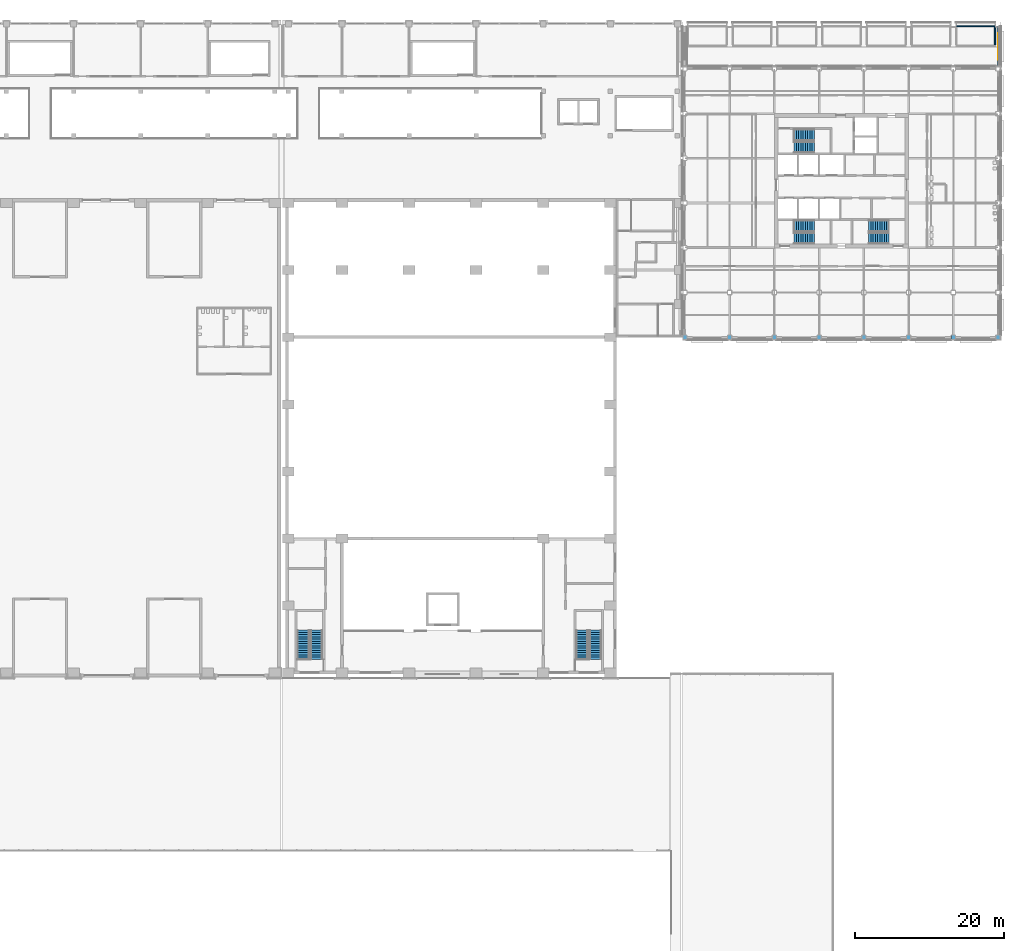
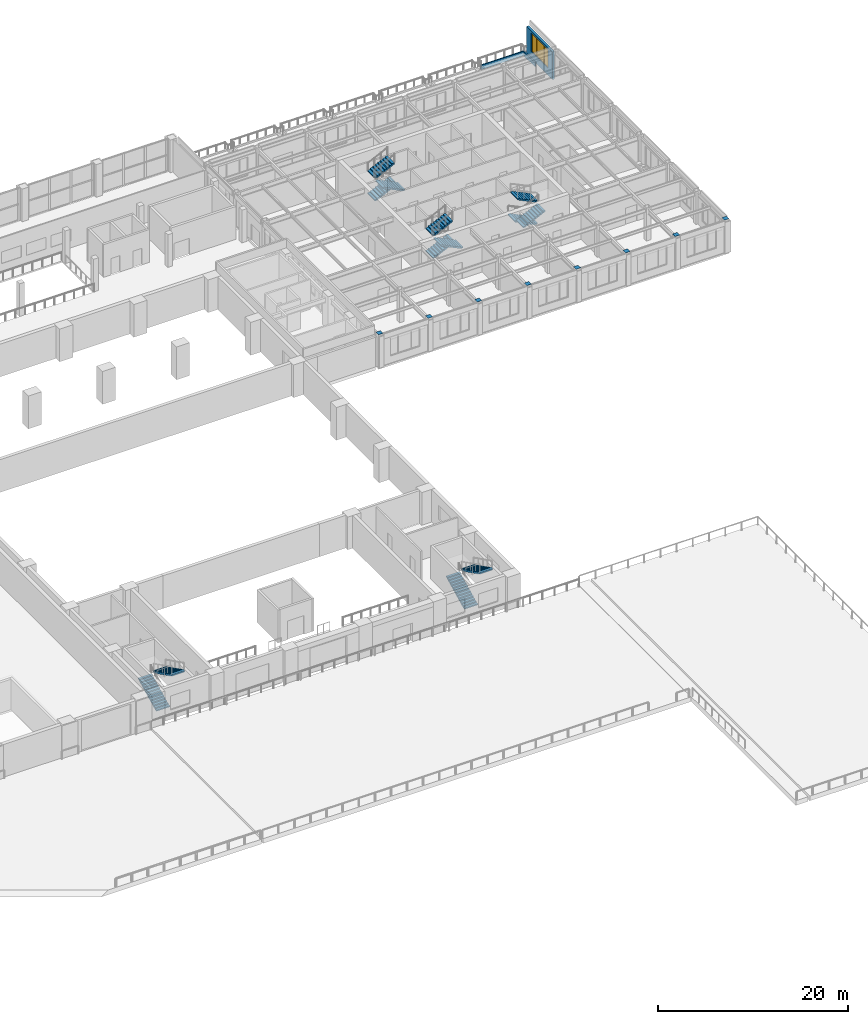
# One storey, part 28 of 39: 13 stair flights, 8 discrete accessories, 3 walls, 1 window, 1 opening, 5 elements without a shape of their own.
"""IFC4 building model written with IfcOpenShell, lengths in metres."""

from ifc_helpers import new_model, si_unit, direction, frame, frame_2d, origin, place, context, subcontext, project, spatial, polyline, rectangle, outline, extrude, material, layer, layer_set, type_object, element, fill, aggregate, save


model = new_model("IFC4")

# Units and contexts
model_context = context("Model", 3, precision=1e-05, world=origin(), true_north=direction((0.0, 1.0)))
body_context = subcontext(model_context, "Body", "Model", "MODEL_VIEW")
ifc_project = project(units=[si_unit("LENGTHUNIT", "METRE"), si_unit("AREAUNIT", "SQUARE_METRE"), si_unit("VOLUMEUNIT", "CUBIC_METRE"), si_unit("PLANEANGLEUNIT", "RADIAN"), si_unit("MASSUNIT", "GRAM", prefix="KILO")], contexts=[model_context])

# Site, building, storey
site_placement = place(None, origin())
site = spatial("IfcSite", under=ifc_project, at=site_placement, CompositionType="ELEMENT")
building_placement = place(site_placement, origin())
building = spatial("IfcBuilding", under=site, at=building_placement, Name="Aravalli Gate Trade Fair Centre", CompositionType="ELEMENT")
storey_placement = place(building_placement, frame((0.0, 0.0, 15.0)))
storey = spatial("IfcBuildingStorey", under=building, at=storey_placement, Name="L03", CompositionType="ELEMENT", Elevation=15.0)

# Walls
ifc_material_1 = material(Name="Concrete M30", Category="concrete")
ifc_layer_1 = layer(ifc_material_1, 0.14990234375)
ifc_layer_set_1 = layer_set([ifc_layer_1], Name="Concrete M30")
wall_type_1 = type_object("IfcWallType", Name="Wing planter wall 150", PredefinedType="SOLIDWALL", material=ifc_layer_set_1)
wall_1_placement = place(storey_placement, frame((196.39990234375, 132.705078125, 0.0), z_axis=(0.0, 0.0, 1.0), x_axis=(1.0, 0.0, 0.0)))
element("IfcWall", 1, at=wall_1_placement, inside=storey, type_object=wall_type_1, Name="Planter wall L03 7N", PredefinedType="SOLIDWALL", context=body_context, shape_type="SweptSolid", body=[
    extrude(rectangle(XDim=5.2001953125, YDim=0.14990234375, at=frame_2d((2.60009765625, 0.0))), origin(), (0.0, 0.0, 1.0), 0.550048828125),
])
wall_2_placement = place(storey_placement, frame((201.60009765625, 130.2548828125, 0.0), z_axis=(0.0, 0.0, 1.0), x_axis=(0.0, 1.0, 0.0)))
element("IfcWall", 2, at=wall_2_placement, inside=storey, type_object=wall_type_1, Name="Planter wall L03 7E", PredefinedType="SOLIDWALL", context=body_context, shape_type="SweptSolid", body=[
    extrude(rectangle(XDim=2.300048828125, YDim=0.14990234375, at=frame_2d((1.14990234375, 0.0))), origin(), (0.0, 0.0, 1.0), 0.550048828125),
])

# Wall, opening, window
ifc_material_2 = material(Name="Concrete block masonry", Category="masonry")
ifc_layer_2 = layer(ifc_material_2, 0.2099609375, Name="Block masonry")
ifc_material_3 = material(Name="Terracotta cladding", Category="masonry")
ifc_layer_3 = layer(ifc_material_3, 0.0400390625, Name="Terracotta cladding")
ifc_layer_set_2 = layer_set([ifc_layer_2, ifc_layer_3], Name="Wing terracotta clad infill wall 250")
wall_type_2 = type_object("IfcWallType", Name="Wing terracotta clad infill wall 250", PredefinedType="SOLIDWALL", material=ifc_layer_set_2)
wall_3_placement = place(storey_placement, frame((202.074951171875, 127.27490234375, 0.0), z_axis=(0.0, 0.0, 1.0), x_axis=(0.0, 1.0, 0.0)))
wall_3 = element("IfcWall", 3, at=wall_3_placement, inside=storey, type_object=wall_type_2, Name="Facade wall E6 L03", PredefinedType="SOLIDWALL", context=body_context, shape_type="SweptSolid", body=[
    extrude(rectangle(XDim=5.4501953125, YDim=0.25, at=frame_2d((2.72509765625, 0.0))), origin(), (0.0, 0.0, 1.0), 3.550048828125),
])
opening_placement = place(wall_3_placement, frame((0.925048828125, 0.0, 0.89990234375)))
opening = element("IfcOpeningElement", 4, at=opening_placement, cuts=wall_3, Name="Opening TWN1", PredefinedType="OPENING", context=body_context, shape_type="SweptSolid", body=[
    extrude(rectangle(XDim=3.60009765625, YDim=2.39990234375, at=frame_2d((1.800048828125, 1.199951171875))), frame((0.0, 0.135009765625, 0.0), z_axis=(0.0, -1.0, 0.0), x_axis=(1.0, 0.0, 0.0)), (0.0, 0.0, 1.0), 0.27001953125),
])
ifc_material_4 = material(Name="Aluminium and glass", Category="aluminium")
window_type = type_object("IfcWindowType", Name="Wing chicago window 3600 x 2400", PartitioningType="TRIPLE_PANEL_VERTICAL", PredefinedType="WINDOW", material=ifc_material_4)
window_placement = place(opening_placement, origin())
window = element("IfcWindow", 5, at=window_placement, inside=storey, type_object=window_type, Name="Window E6 L03", OverallHeight=2.39990234375, OverallWidth=3.60009765625, PartitioningType="TRIPLE_PANEL_VERTICAL", PredefinedType="WINDOW", context=body_context, shape_type="SweptSolid", body=[
    extrude(outline(polyline([(0.0, 0.0), (3.60009765625, 0.0), (3.60009765625, 2.39990234375), (0.0, 2.39990234375), (0.0, 0.0)]), holes=[polyline([(0.06005859375, 0.06005859375), (0.9599609375, 0.06005859375), (0.9599609375, 2.33984375), (0.06005859375, 2.33984375), (0.06005859375, 0.06005859375)]), polyline([(1.06005859375, 0.06005859375), (2.539794921875, 0.06005859375), (2.539794921875, 2.33984375), (1.06005859375, 2.33984375), (1.06005859375, 0.06005859375)]), polyline([(2.639892578125, 0.06005859375), (3.539794921875, 0.06005859375), (3.539794921875, 2.33984375), (2.639892578125, 2.33984375), (2.639892578125, 0.06005859375)])]), frame((0.0, 0.030029296875, 0.0), z_axis=(0.0, -1.0, 0.0), x_axis=(1.0, 0.0, 0.0)), (0.0, 0.0, 1.0), 0.06005859375),
    extrude(rectangle(XDim=0.923828125, YDim=2.3037109375, at=frame_2d((0.510009765625, 1.199951171875))), frame((0.0, 0.010009765625, 0.0), z_axis=(0.0, -1.0, 0.0), x_axis=(1.0, 0.0, 0.0)), (0.0, 0.0, 1.0), 0.02001953125),
    extrude(rectangle(XDim=1.503662109375, YDim=2.3037109375, at=frame_2d((1.7998046875, 1.199951171875))), frame((0.0, 0.010009765625, 0.0), z_axis=(0.0, -1.0, 0.0), x_axis=(1.0, 0.0, 0.0)), (0.0, 0.0, 1.0), 0.02001953125),
    extrude(rectangle(XDim=0.923828125, YDim=2.3037109375, at=frame_2d((3.08984375, 1.199951171875))), frame((0.0, 0.010009765625, 0.0), z_axis=(0.0, -1.0, 0.0), x_axis=(1.0, 0.0, 0.0)), (0.0, 0.0, 1.0), 0.02001953125),
])
fill(opening, window)

# Stair, stair flights
ifc_material_5 = material(Name="Concrete M45", Category="concrete")
stair_type_1 = type_object("IfcStairType", Name="Congress exit stair", PredefinedType="HALF_TURN_STAIR", material=ifc_material_5)
stair_1_placement = place(storey_placement, origin())
stair_1 = element("IfcStair", 6, at=stair_1_placement, inside=storey, type_object=stair_type_1, Name="Stage Stair West L03", PredefinedType="HALF_TURN_STAIR")
stair_flight_type_1 = type_object("IfcStairFlightType", Name="Congress exit stair flight", PredefinedType="STRAIGHT", material=ifc_material_5)
stair_flight_1_placement = place(storey_placement, frame((108.800048828125, 47.800048828125, 0.0), z_axis=(0.0, 0.0, 1.0), x_axis=(0.0, 1.0, 0.0)))
stair_flight_1 = element("IfcStairFlight", 7, at=stair_flight_1_placement, type_object=stair_flight_type_1, Name="GX1 flight 1", NumberOfRisers=14, NumberOfTreads=13, PredefinedType="STRAIGHT", RiserHeight=0.15, TreadLength=0.3, context=body_context, shape_type="SweptSolid", body=[
    extrude(outline(polyline([(0.0, 0.0), (0.0, 0.14990234375), (0.300048828125, 0.14990234375), (0.300048828125, 0.300048828125), (0.60009765625, 0.300048828125), (0.60009765625, 0.449951171875), (0.89990234375, 0.449951171875), (0.89990234375, 0.60009765625), (1.199951171875, 0.60009765625), (1.199951171875, 0.75), (1.5, 0.75), (1.5, 0.89990234375), (1.800048828125, 0.89990234375), (1.800048828125, 1.050048828125), (2.10009765625, 1.050048828125), (2.10009765625, 1.199951171875), (2.39990234375, 1.199951171875), (2.39990234375, 1.35009765625), (2.699951171875, 1.35009765625), (2.699951171875, 1.5), (3.0, 1.5), (3.0, 1.64990234375), (3.300048828125, 1.64990234375), (3.300048828125, 1.800048828125), (3.60009765625, 1.800048828125), (3.60009765625, 1.949951171875), (3.89990234375, 1.949951171875), (3.89990234375, 2.10009765625), (3.89990234375, 1.782470703125), (0.335205078125, 0.0), (0.0, 0.0)])), frame((0.0, 0.800048828125, 0.0), z_axis=(0.0, -1.0, 0.0), x_axis=(1.0, 0.0, 0.0)), (0.0, 0.0, 1.0), 1.60009765625),
])
stair_flight_2_placement = place(storey_placement, frame((110.60009765625, 51.699951171875, 2.10009765625), z_axis=(0.0, 0.0, 1.0), x_axis=(0.0, -1.0, 0.0)))
stair_flight_2 = element("IfcStairFlight", 8, at=stair_flight_2_placement, type_object=stair_flight_type_1, Name="GX1 flight 2", NumberOfRisers=14, NumberOfTreads=13, PredefinedType="STRAIGHT", RiserHeight=0.15, TreadLength=0.3, context=body_context, shape_type="SweptSolid", body=[
    extrude(outline(polyline([(0.0, 0.0), (0.0, 0.14990234375), (0.300048828125, 0.14990234375), (0.300048828125, 0.300048828125), (0.60009765625, 0.300048828125), (0.60009765625, 0.449951171875), (0.89990234375, 0.449951171875), (0.89990234375, 0.60009765625), (1.199951171875, 0.60009765625), (1.199951171875, 0.75), (1.5, 0.75), (1.5, 0.89990234375), (1.800048828125, 0.89990234375), (1.800048828125, 1.050048828125), (2.10009765625, 1.050048828125), (2.10009765625, 1.199951171875), (2.39990234375, 1.199951171875), (2.39990234375, 1.35009765625), (2.699951171875, 1.35009765625), (2.699951171875, 1.5), (3.0, 1.5), (3.0, 1.64990234375), (3.300048828125, 1.64990234375), (3.300048828125, 1.800048828125), (3.60009765625, 1.800048828125), (3.60009765625, 1.949951171875), (3.89990234375, 1.949951171875), (3.89990234375, 2.10009765625), (3.89990234375, 1.782470703125), (0.335205078125, 0.0), (0.0, 0.0)])), frame((0.0, 0.800048828125, 0.0), z_axis=(0.0, -1.0, 0.0), x_axis=(1.0, 0.0, 0.0)), (0.0, 0.0, 1.0), 1.60009765625),
])
aggregate(stair_1, [stair_flight_1, stair_flight_2])

stair_2_placement = place(storey_placement, origin())
stair_2 = element("IfcStair", 9, at=stair_2_placement, inside=storey, type_object=stair_type_1, Name="Stage Stair East L03", PredefinedType="HALF_TURN_STAIR")
stair_flight_3_placement = place(storey_placement, frame((146.199951171875, 47.800048828125, 0.0), z_axis=(0.0, 0.0, 1.0), x_axis=(0.0, 1.0, 0.0)))
stair_flight_3 = element("IfcStairFlight", 10, at=stair_flight_3_placement, type_object=stair_flight_type_1, Name="GX2 flight 1", NumberOfRisers=14, NumberOfTreads=13, PredefinedType="STRAIGHT", RiserHeight=0.15, TreadLength=0.3, context=body_context, shape_type="SweptSolid", body=[
    extrude(outline(polyline([(0.0, 0.0), (0.0, 0.14990234375), (0.300048828125, 0.14990234375), (0.300048828125, 0.300048828125), (0.60009765625, 0.300048828125), (0.60009765625, 0.449951171875), (0.89990234375, 0.449951171875), (0.89990234375, 0.60009765625), (1.199951171875, 0.60009765625), (1.199951171875, 0.75), (1.5, 0.75), (1.5, 0.89990234375), (1.800048828125, 0.89990234375), (1.800048828125, 1.050048828125), (2.10009765625, 1.050048828125), (2.10009765625, 1.199951171875), (2.39990234375, 1.199951171875), (2.39990234375, 1.35009765625), (2.699951171875, 1.35009765625), (2.699951171875, 1.5), (3.0, 1.5), (3.0, 1.64990234375), (3.300048828125, 1.64990234375), (3.300048828125, 1.800048828125), (3.60009765625, 1.800048828125), (3.60009765625, 1.949951171875), (3.89990234375, 1.949951171875), (3.89990234375, 2.10009765625), (3.89990234375, 1.782470703125), (0.335205078125, 0.0), (0.0, 0.0)])), frame((0.0, 0.800048828125, 0.0), z_axis=(0.0, -1.0, 0.0), x_axis=(1.0, 0.0, 0.0)), (0.0, 0.0, 1.0), 1.60009765625),
])
stair_flight_4_placement = place(storey_placement, frame((148.0, 51.699951171875, 2.10009765625), z_axis=(0.0, 0.0, 1.0), x_axis=(0.0, -1.0, 0.0)))
stair_flight_4 = element("IfcStairFlight", 11, at=stair_flight_4_placement, type_object=stair_flight_type_1, Name="GX2 flight 2", NumberOfRisers=14, NumberOfTreads=13, PredefinedType="STRAIGHT", RiserHeight=0.15, TreadLength=0.3, context=body_context, shape_type="SweptSolid", body=[
    extrude(outline(polyline([(0.0, 0.0), (0.0, 0.14990234375), (0.300048828125, 0.14990234375), (0.300048828125, 0.300048828125), (0.60009765625, 0.300048828125), (0.60009765625, 0.449951171875), (0.89990234375, 0.449951171875), (0.89990234375, 0.60009765625), (1.199951171875, 0.60009765625), (1.199951171875, 0.75), (1.5, 0.75), (1.5, 0.89990234375), (1.800048828125, 0.89990234375), (1.800048828125, 1.050048828125), (2.10009765625, 1.050048828125), (2.10009765625, 1.199951171875), (2.39990234375, 1.199951171875), (2.39990234375, 1.35009765625), (2.699951171875, 1.35009765625), (2.699951171875, 1.5), (3.0, 1.5), (3.0, 1.64990234375), (3.300048828125, 1.64990234375), (3.300048828125, 1.800048828125), (3.60009765625, 1.800048828125), (3.60009765625, 1.949951171875), (3.89990234375, 1.949951171875), (3.89990234375, 2.10009765625), (3.89990234375, 1.782470703125), (0.335205078125, 0.0), (0.0, 0.0)])), frame((0.0, 0.800048828125, 0.0), z_axis=(0.0, -1.0, 0.0), x_axis=(1.0, 0.0, 0.0)), (0.0, 0.0, 1.0), 1.60009765625),
])
aggregate(stair_2, [stair_flight_3, stair_flight_4])

stair_type_2 = type_object("IfcStairType", Name="Wing core stair", PredefinedType="HALF_TURN_STAIR", material=ifc_material_1)
stair_3_placement = place(storey_placement, origin())
stair_3 = element("IfcStair", 12, at=stair_3_placement, inside=storey, type_object=stair_type_2, Name="Stair S2 L03", PredefinedType="HALF_TURN_STAIR")
stair_flight_type_2 = type_object("IfcStairFlightType", Name="Wing core stair flight", PredefinedType="STRAIGHT", material=ifc_material_1)
stair_flight_5_placement = place(storey_placement, frame((174.64990234375, 105.929931640625, 0.0), z_axis=(0.0, 0.0, 1.0), x_axis=(1.0, 0.0, 0.0)))
stair_flight_5 = element("IfcStairFlight", 13, at=stair_flight_5_placement, type_object=stair_flight_type_2, Name="TST1 flight 1", NumberOfRisers=10, NumberOfTreads=9, PredefinedType="STRAIGHT", RiserHeight=0.144827586, TreadLength=0.3, context=body_context, shape_type="SweptSolid", body=[
    extrude(outline(polyline([(0.0, 0.0), (0.0, 0.144775390625), (0.300048828125, 0.144775390625), (0.300048828125, 0.28955078125), (0.60009765625, 0.28955078125), (0.60009765625, 0.4345703125), (0.89990234375, 0.4345703125), (0.89990234375, 0.579345703125), (1.199951171875, 0.579345703125), (1.199951171875, 0.72412109375), (1.5, 0.72412109375), (1.5, 0.868896484375), (1.800048828125, 0.868896484375), (1.800048828125, 1.013671875), (2.10009765625, 1.013671875), (2.10009765625, 1.15869140625), (2.39990234375, 1.15869140625), (2.39990234375, 1.303466796875), (2.699951171875, 1.303466796875), (2.699951171875, 1.4482421875), (2.699951171875, 1.1591796875), (0.298828125, 0.0), (0.0, 0.0)])), frame((0.0, 0.77001953125, 0.0), z_axis=(0.0, -1.0, 0.0), x_axis=(1.0, 0.0, 0.0)), (0.0, 0.0, 1.0), 1.5400390625),
])
stair_flight_6_placement = place(storey_placement, frame((177.35009765625, 104.27001953125, 1.4482421875), z_axis=(0.0, 0.0, 1.0), x_axis=(-1.0, 0.0, 0.0)))
stair_flight_6 = element("IfcStairFlight", 14, at=stair_flight_6_placement, type_object=stair_flight_type_2, Name="TST1 flight 2", NumberOfRisers=10, NumberOfTreads=9, PredefinedType="STRAIGHT", RiserHeight=0.144827586, TreadLength=0.3, context=body_context, shape_type="SweptSolid", body=[
    extrude(outline(polyline([(0.0, 0.0), (0.0, 0.144775390625), (0.300048828125, 0.144775390625), (0.300048828125, 0.28955078125), (0.60009765625, 0.28955078125), (0.60009765625, 0.4345703125), (0.89990234375, 0.4345703125), (0.89990234375, 0.579345703125), (1.199951171875, 0.579345703125), (1.199951171875, 0.72412109375), (1.5, 0.72412109375), (1.5, 0.868896484375), (1.800048828125, 0.868896484375), (1.800048828125, 1.013671875), (2.10009765625, 1.013671875), (2.10009765625, 1.15869140625), (2.39990234375, 1.15869140625), (2.39990234375, 1.303466796875), (2.699951171875, 1.303466796875), (2.699951171875, 1.4482421875), (2.699951171875, 1.1591796875), (0.298828125, 0.0), (0.0, 0.0)])), frame((0.0, 0.77001953125, 0.0), z_axis=(0.0, -1.0, 0.0), x_axis=(1.0, 0.0, 0.0)), (0.0, 0.0, 1.0), 1.5400390625),
])
stair_flight_7_placement = place(storey_placement, frame((174.64990234375, 105.929931640625, 2.896484375), z_axis=(0.0, 0.0, 1.0), x_axis=(1.0, 0.0, 0.0)))
stair_flight_7 = element("IfcStairFlight", 15, at=stair_flight_7_placement, type_object=stair_flight_type_2, Name="TST1 flight 3", NumberOfRisers=9, NumberOfTreads=8, PredefinedType="STRAIGHT", RiserHeight=0.144827586, TreadLength=0.3, context=body_context, shape_type="SweptSolid", body=[
    extrude(outline(polyline([(0.0, 0.0), (0.0, 0.144775390625), (0.300048828125, 0.144775390625), (0.300048828125, 0.28955078125), (0.60009765625, 0.28955078125), (0.60009765625, 0.4345703125), (0.89990234375, 0.4345703125), (0.89990234375, 0.579345703125), (1.199951171875, 0.579345703125), (1.199951171875, 0.72412109375), (1.5, 0.72412109375), (1.5, 0.868896484375), (1.800048828125, 0.868896484375), (1.800048828125, 1.013671875), (2.10009765625, 1.013671875), (2.10009765625, 1.15869140625), (2.39990234375, 1.15869140625), (2.39990234375, 1.303466796875), (2.39990234375, 1.014404296875), (0.298828125, 0.0), (0.0, 0.0)])), frame((0.0, 0.77001953125, 0.0), z_axis=(0.0, -1.0, 0.0), x_axis=(1.0, 0.0, 0.0)), (0.0, 0.0, 1.0), 1.5400390625),
])
aggregate(stair_3, [stair_flight_5, stair_flight_6, stair_flight_7])

stair_4_placement = place(storey_placement, origin())
stair_4 = element("IfcStair", 16, at=stair_4_placement, inside=storey, type_object=stair_type_2, Name="Stair S1 L03", PredefinedType="HALF_TURN_STAIR")
stair_flight_8_placement = place(storey_placement, frame((187.35009765625, 105.929931640625, 0.0), z_axis=(0.0, 0.0, 1.0), x_axis=(-1.0, 0.0, 0.0)))
stair_flight_8 = element("IfcStairFlight", 17, at=stair_flight_8_placement, type_object=stair_flight_type_2, Name="TST1 flight 1", NumberOfRisers=10, NumberOfTreads=9, PredefinedType="STRAIGHT", RiserHeight=0.144827586, TreadLength=0.3, context=body_context, shape_type="SweptSolid", body=[
    extrude(outline(polyline([(0.0, 0.0), (0.0, 0.144775390625), (0.300048828125, 0.144775390625), (0.300048828125, 0.28955078125), (0.60009765625, 0.28955078125), (0.60009765625, 0.4345703125), (0.89990234375, 0.4345703125), (0.89990234375, 0.579345703125), (1.199951171875, 0.579345703125), (1.199951171875, 0.72412109375), (1.5, 0.72412109375), (1.5, 0.868896484375), (1.800048828125, 0.868896484375), (1.800048828125, 1.013671875), (2.10009765625, 1.013671875), (2.10009765625, 1.15869140625), (2.39990234375, 1.15869140625), (2.39990234375, 1.303466796875), (2.699951171875, 1.303466796875), (2.699951171875, 1.4482421875), (2.699951171875, 1.1591796875), (0.298828125, 0.0), (0.0, 0.0)])), frame((0.0, 0.77001953125, 0.0), z_axis=(0.0, -1.0, 0.0), x_axis=(1.0, 0.0, 0.0)), (0.0, 0.0, 1.0), 1.5400390625),
])
stair_flight_9_placement = place(storey_placement, frame((184.64990234375, 104.27001953125, 1.4482421875), z_axis=(0.0, 0.0, 1.0), x_axis=(1.0, 0.0, 0.0)))
stair_flight_9 = element("IfcStairFlight", 18, at=stair_flight_9_placement, type_object=stair_flight_type_2, Name="TST1 flight 2", NumberOfRisers=10, NumberOfTreads=9, PredefinedType="STRAIGHT", RiserHeight=0.144827586, TreadLength=0.3, context=body_context, shape_type="SweptSolid", body=[
    extrude(outline(polyline([(0.0, 0.0), (0.0, 0.144775390625), (0.300048828125, 0.144775390625), (0.300048828125, 0.28955078125), (0.60009765625, 0.28955078125), (0.60009765625, 0.4345703125), (0.89990234375, 0.4345703125), (0.89990234375, 0.579345703125), (1.199951171875, 0.579345703125), (1.199951171875, 0.72412109375), (1.5, 0.72412109375), (1.5, 0.868896484375), (1.800048828125, 0.868896484375), (1.800048828125, 1.013671875), (2.10009765625, 1.013671875), (2.10009765625, 1.15869140625), (2.39990234375, 1.15869140625), (2.39990234375, 1.303466796875), (2.699951171875, 1.303466796875), (2.699951171875, 1.4482421875), (2.699951171875, 1.1591796875), (0.298828125, 0.0), (0.0, 0.0)])), frame((0.0, 0.77001953125, 0.0), z_axis=(0.0, -1.0, 0.0), x_axis=(1.0, 0.0, 0.0)), (0.0, 0.0, 1.0), 1.5400390625),
])
stair_flight_10_placement = place(storey_placement, frame((187.35009765625, 105.929931640625, 2.896484375), z_axis=(0.0, 0.0, 1.0), x_axis=(-1.0, 0.0, 0.0)))
stair_flight_10 = element("IfcStairFlight", 19, at=stair_flight_10_placement, type_object=stair_flight_type_2, Name="TST1 flight 3", NumberOfRisers=9, NumberOfTreads=8, PredefinedType="STRAIGHT", RiserHeight=0.144827586, TreadLength=0.3, context=body_context, shape_type="SweptSolid", body=[
    extrude(outline(polyline([(0.0, 0.0), (0.0, 0.144775390625), (0.300048828125, 0.144775390625), (0.300048828125, 0.28955078125), (0.60009765625, 0.28955078125), (0.60009765625, 0.4345703125), (0.89990234375, 0.4345703125), (0.89990234375, 0.579345703125), (1.199951171875, 0.579345703125), (1.199951171875, 0.72412109375), (1.5, 0.72412109375), (1.5, 0.868896484375), (1.800048828125, 0.868896484375), (1.800048828125, 1.013671875), (2.10009765625, 1.013671875), (2.10009765625, 1.15869140625), (2.39990234375, 1.15869140625), (2.39990234375, 1.303466796875), (2.39990234375, 1.014404296875), (0.298828125, 0.0), (0.0, 0.0)])), frame((0.0, 0.77001953125, 0.0), z_axis=(0.0, -1.0, 0.0), x_axis=(1.0, 0.0, 0.0)), (0.0, 0.0, 1.0), 1.5400390625),
])
aggregate(stair_4, [stair_flight_8, stair_flight_9, stair_flight_10])

stair_5_placement = place(storey_placement, origin())
stair_5 = element("IfcStair", 20, at=stair_5_placement, inside=storey, type_object=stair_type_2, Name="Stair FFS L03", PredefinedType="HALF_TURN_STAIR")
stair_flight_11_placement = place(storey_placement, frame((174.64990234375, 118.1298828125, 0.0), z_axis=(0.0, 0.0, 1.0), x_axis=(1.0, 0.0, 0.0)))
stair_flight_11 = element("IfcStairFlight", 21, at=stair_flight_11_placement, type_object=stair_flight_type_2, Name="TST1 flight 1", NumberOfRisers=10, NumberOfTreads=9, PredefinedType="STRAIGHT", RiserHeight=0.144827586, TreadLength=0.3, context=body_context, shape_type="SweptSolid", body=[
    extrude(outline(polyline([(0.0, 0.0), (0.0, 0.144775390625), (0.300048828125, 0.144775390625), (0.300048828125, 0.28955078125), (0.60009765625, 0.28955078125), (0.60009765625, 0.4345703125), (0.89990234375, 0.4345703125), (0.89990234375, 0.579345703125), (1.199951171875, 0.579345703125), (1.199951171875, 0.72412109375), (1.5, 0.72412109375), (1.5, 0.868896484375), (1.800048828125, 0.868896484375), (1.800048828125, 1.013671875), (2.10009765625, 1.013671875), (2.10009765625, 1.15869140625), (2.39990234375, 1.15869140625), (2.39990234375, 1.303466796875), (2.699951171875, 1.303466796875), (2.699951171875, 1.4482421875), (2.699951171875, 1.1591796875), (0.298828125, 0.0), (0.0, 0.0)])), frame((0.0, 0.77001953125, 0.0), z_axis=(0.0, -1.0, 0.0), x_axis=(1.0, 0.0, 0.0)), (0.0, 0.0, 1.0), 1.5400390625),
])
stair_flight_12_placement = place(storey_placement, frame((177.35009765625, 116.469970703125, 1.4482421875), z_axis=(0.0, 0.0, 1.0), x_axis=(-1.0, 0.0, 0.0)))
stair_flight_12 = element("IfcStairFlight", 22, at=stair_flight_12_placement, type_object=stair_flight_type_2, Name="TST1 flight 2", NumberOfRisers=10, NumberOfTreads=9, PredefinedType="STRAIGHT", RiserHeight=0.144827586, TreadLength=0.3, context=body_context, shape_type="SweptSolid", body=[
    extrude(outline(polyline([(0.0, 0.0), (0.0, 0.144775390625), (0.300048828125, 0.144775390625), (0.300048828125, 0.28955078125), (0.60009765625, 0.28955078125), (0.60009765625, 0.4345703125), (0.89990234375, 0.4345703125), (0.89990234375, 0.579345703125), (1.199951171875, 0.579345703125), (1.199951171875, 0.72412109375), (1.5, 0.72412109375), (1.5, 0.868896484375), (1.800048828125, 0.868896484375), (1.800048828125, 1.013671875), (2.10009765625, 1.013671875), (2.10009765625, 1.15869140625), (2.39990234375, 1.15869140625), (2.39990234375, 1.303466796875), (2.699951171875, 1.303466796875), (2.699951171875, 1.4482421875), (2.699951171875, 1.1591796875), (0.298828125, 0.0), (0.0, 0.0)])), frame((0.0, 0.77001953125, 0.0), z_axis=(0.0, -1.0, 0.0), x_axis=(1.0, 0.0, 0.0)), (0.0, 0.0, 1.0), 1.5400390625),
])
stair_flight_13_placement = place(storey_placement, frame((174.64990234375, 118.1298828125, 2.896484375), z_axis=(0.0, 0.0, 1.0), x_axis=(1.0, 0.0, 0.0)))
stair_flight_13 = element("IfcStairFlight", 23, at=stair_flight_13_placement, type_object=stair_flight_type_2, Name="TST1 flight 3", NumberOfRisers=9, NumberOfTreads=8, PredefinedType="STRAIGHT", RiserHeight=0.144827586, TreadLength=0.3, context=body_context, shape_type="SweptSolid", body=[
    extrude(outline(polyline([(0.0, 0.0), (0.0, 0.144775390625), (0.300048828125, 0.144775390625), (0.300048828125, 0.28955078125), (0.60009765625, 0.28955078125), (0.60009765625, 0.4345703125), (0.89990234375, 0.4345703125), (0.89990234375, 0.579345703125), (1.199951171875, 0.579345703125), (1.199951171875, 0.72412109375), (1.5, 0.72412109375), (1.5, 0.868896484375), (1.800048828125, 0.868896484375), (1.800048828125, 1.013671875), (2.10009765625, 1.013671875), (2.10009765625, 1.15869140625), (2.39990234375, 1.15869140625), (2.39990234375, 1.303466796875), (2.39990234375, 1.014404296875), (0.298828125, 0.0), (0.0, 0.0)])), frame((0.0, 0.77001953125, 0.0), z_axis=(0.0, -1.0, 0.0), x_axis=(1.0, 0.0, 0.0)), (0.0, 0.0, 1.0), 1.5400390625),
])
aggregate(stair_5, [stair_flight_11, stair_flight_12, stair_flight_13])

# Discrete accessories
ifc_material_6 = material(Name="Steel E350", Category="steel")
ifc_layer_4 = layer(ifc_material_6, 0.01611328125)
ifc_layer_set_3 = layer_set([ifc_layer_4], Name="Steel E350")
discrete_accessory_type = type_object("IfcDiscreteAccessoryType", Name="End plate 550x550 x 16", PredefinedType="USERDEFINED", material=ifc_layer_set_3)
for number, where, z_axis, x_axis, name in (
    (24, (159.72509765625, 90.72509765625, 4.216064453125), (0.0, 0.0, 1.0), (1.0, 0.0, 0.0), "End plate Wing column 18/F L03 end B"),
    (25, (165.72509765625, 90.72509765625, 4.216064453125), (0.0, 0.0, 1.0), (1.0, 0.0, 0.0), "End plate Wing column 19/F L03 end B"),
    (26, (171.72509765625, 90.72509765625, 4.216064453125), (0.0, 0.0, 1.0), (1.0, 0.0, 0.0), "End plate Wing column 20/F L03 end B"),
    (27, (177.72509765625, 90.72509765625, 4.216064453125), (0.0, 0.0, 1.0), (1.0, 0.0, 0.0), "End plate Wing column 21/F L03 end B"),
    (28, (183.72509765625, 90.72509765625, 4.216064453125), (0.0, 0.0, 1.0), (1.0, 0.0, 0.0), "End plate Wing column 22/F L03 end B"),
    (29, (189.72509765625, 90.72509765625, 4.216064453125), (0.0, 0.0, 1.0), (1.0, 0.0, 0.0), "End plate Wing column 23/F L03 end B"),
    (30, (195.72509765625, 90.72509765625, 4.216064453125), (0.0, 0.0, 1.0), (1.0, 0.0, 0.0), "End plate Wing column 24/F L03 end B"),
    (31, (201.72509765625, 90.72509765625, 4.216064453125), (0.0, 0.0, 1.0), (1.0, 0.0, 0.0), "End plate Wing column 25/F L03 end B"),
):
    element("IfcDiscreteAccessory", number, at=place(storey_placement, frame(where, z_axis=z_axis, x_axis=x_axis)), inside=storey, type_object=discrete_accessory_type, Name=name, ObjectType="END CAP", PredefinedType="USERDEFINED", context=body_context, shape_type="SweptSolid", body=[
        extrude(outline(polyline([(0.0, 0.0), (0.5498046875, 0.0), (0.5498046875, 0.5498046875), (0.0, 0.5498046875), (0.0, 0.0)])), origin(), (0.0, 0.0, -1.0), 0.01611328125),
    ])

save(model, "model.ifc")
